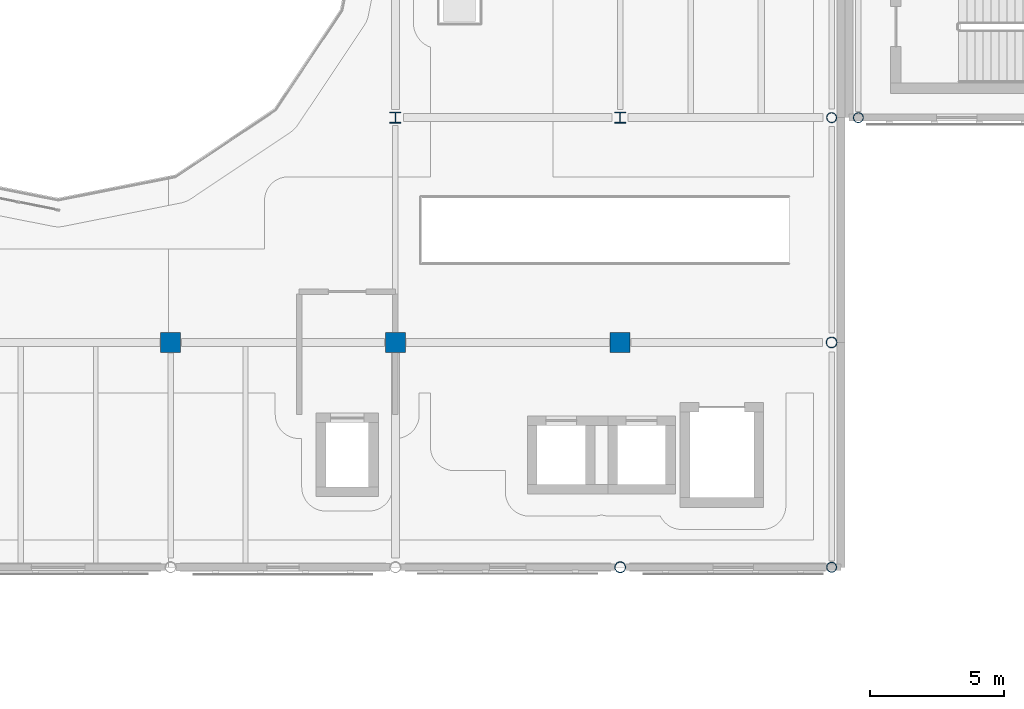
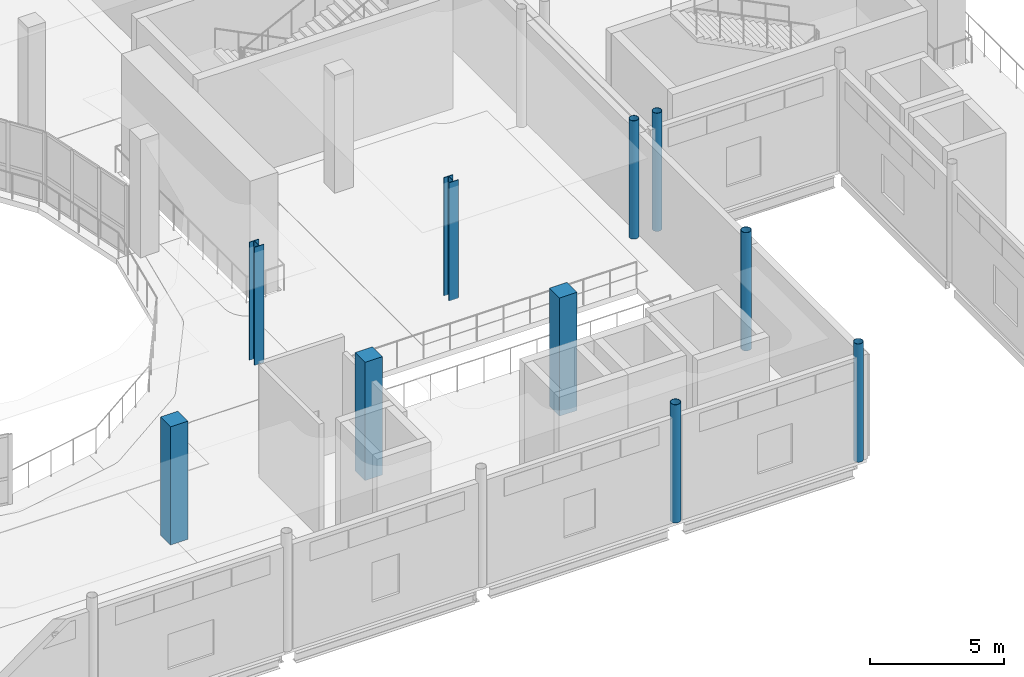
# One storey, part 2 of 110: 10 columns.
"""IFC4 building model written with IfcOpenShell, lengths in metres."""

from ifc_helpers import new_model, si_unit, direction, frame, origin, origin_2d, place, context, subcontext, project, spatial, rectangle, hollow_circle, i_section, extrude, material, material_profile, profile_set, type_object, element, save


model = new_model("IFC4")

# Units and contexts
model_context = context("Model", 3, precision=1e-05, world=origin(), true_north=direction((0.0, 1.0)))
body_context = subcontext(model_context, "Body", "Model", "MODEL_VIEW")
ifc_project = project(units=[si_unit("LENGTHUNIT", "METRE"), si_unit("AREAUNIT", "SQUARE_METRE"), si_unit("VOLUMEUNIT", "CUBIC_METRE"), si_unit("PLANEANGLEUNIT", "RADIAN"), si_unit("MASSUNIT", "GRAM", prefix="KILO"), si_unit("THERMODYNAMICTEMPERATUREUNIT", "KELVIN")], contexts=[model_context])

# Site, building, storey
site_placement = place(None, origin())
site = spatial("IfcSite", under=ifc_project, at=site_placement, CompositionType="ELEMENT")
building_placement = place(site_placement, origin())
building = spatial("IfcBuilding", under=site, at=building_placement, Name="Lustrewick Department Store", CompositionType="ELEMENT")
storey_placement = place(building_placement, frame((0.0, 0.0, 6.0)))
storey = spatial("IfcBuildingStorey", under=building, at=storey_placement, Name="L02", CompositionType="ELEMENT", Elevation=6.0)

# Columns
ifc_material_1 = material(Name="Structural steel Q355C", Category="steel")
ifc_material_profile_1 = material_profile(ifc_material_1, i_section(OverallWidth=0.405029296875, OverallDepth=0.4140625, WebThickness=0.01806640625, FlangeThickness=0.028076171875, FilletRadius=0.02197265625, at=origin_2d()), Name="HW 414x405x18x28")
ifc_profile_set_1 = profile_set([ifc_material_profile_1], Name="Structural steel Q355C")
column_type_1 = type_object("IfcColumnType", Name="C10", PredefinedType="COLUMN", material=ifc_profile_set_1)
for number, where, z_axis, x_axis, name in (
    (1, (42.0, 58.800048828125, 0.0), (0.0, 0.0, 1.0), (1.0, 0.0, 0.0), "L02 V1 Column C10"),
    (2, (50.39990234375, 58.800048828125, 0.0), (0.0, 0.0, 1.0), (1.0, 0.0, 0.0), "L02 V1 Column C10"),
):
    element("IfcColumn", number, at=place(storey_placement, frame(where, z_axis=z_axis, x_axis=x_axis)), inside=storey, type_object=column_type_1, Name=name, PredefinedType="COLUMN", context=body_context, shape_type="SweptSolid", body=[
        extrude(i_section(OverallWidth=0.405029296875, OverallDepth=0.4140625, WebThickness=0.01806640625, FlangeThickness=0.028076171875, FilletRadius=0.02197265625, at=origin_2d()), origin(), (0.0, 0.0, 1.0), 5.39990234375),
    ])
ifc_material_2 = material(Name="Concrete C40", Category="concrete")
ifc_material_profile_2 = material_profile(ifc_material_2, rectangle(XDim=0.75, YDim=0.75, at=origin_2d()), Name="RC 750x750")
ifc_profile_set_2 = profile_set([ifc_material_profile_2], Name="Concrete C40")
column_type_2 = type_object("IfcColumnType", Name="C20", PredefinedType="COLUMN", material=ifc_profile_set_2)
for number, where, z_axis, x_axis, name in (
    (3, (33.60009765625, 50.39990234375, 0.0), (0.0, 0.0, 1.0), (1.0, 0.0, 0.0), "L02 V1 Column C20"),
    (4, (42.0, 50.39990234375, 0.0), (0.0, 0.0, 1.0), (1.0, 0.0, 0.0), "L02 V1 Column C20"),
    (5, (50.39990234375, 50.39990234375, 0.0), (0.0, 0.0, 1.0), (1.0, 0.0, 0.0), "L02 V1 Column C20"),
):
    element("IfcColumn", number, at=place(storey_placement, frame(where, z_axis=z_axis, x_axis=x_axis)), inside=storey, type_object=column_type_2, Name=name, PredefinedType="COLUMN", context=body_context, shape_type="SweptSolid", body=[
        extrude(rectangle(XDim=0.75, YDim=0.75, at=origin_2d()), origin(), (0.0, 0.0, 1.0), 5.39990234375),
    ])
ifc_material_profile_3 = material_profile(ifc_material_1, hollow_circle(Radius=0.202880859375, WallThickness=0.01611328125, at=origin_2d()), Name="CHS 406x16")
ifc_profile_set_3 = profile_set([ifc_material_profile_3], Name="Structural steel Q355C")
column_type_3 = type_object("IfcColumnType", Name="CE03", PredefinedType="COLUMN", material=ifc_profile_set_3)
for number, where, z_axis, x_axis, name in (
    (6, (50.39990234375, 42.0, 0.0), (0.0, 0.0, 1.0), (1.0, 0.0, 0.0), "L02 V1 Column CE03"),
    (7, (58.300048828125, 50.39990234375, 0.0), (0.0, 0.0, 1.0), (1.0, 0.0, 0.0), "L02 V1 Column CE03"),
):
    element("IfcColumn", number, at=place(storey_placement, frame(where, z_axis=z_axis, x_axis=x_axis)), inside=storey, type_object=column_type_3, Name=name, PredefinedType="COLUMN", context=body_context, shape_type="SweptSolid", body=[
        extrude(hollow_circle(Radius=0.202880859375, WallThickness=0.01611328125, at=origin_2d()), origin(), (0.0, 0.0, 1.0), 5.39990234375),
    ])
ifc_material_3 = material(Name="Structural steel Q355B", Category="steel")
ifc_material_profile_4 = material_profile(ifc_material_3, hollow_circle(Radius=0.1884765625, WallThickness=0.013916015625, at=origin_2d()), Name="CHS 377x14")
ifc_profile_set_4 = profile_set([ifc_material_profile_4], Name="Structural steel Q355B")
column_type_4 = type_object("IfcColumnType", Name="CE04", PredefinedType="COLUMN", material=ifc_profile_set_4)
for number, where, z_axis, x_axis, name in (
    (8, (58.300048828125, 42.0, 0.0), (0.0, 0.0, 1.0), (1.0, 0.0, 0.0), "L02 V1 Column CE04"),
    (9, (58.300048828125, 58.800048828125, 0.0), (0.0, 0.0, 1.0), (1.0, 0.0, 0.0), "L02 V1 Column CE04"),
    (10, (59.300048828125, 58.800048828125, 0.0), (0.0, 0.0, 1.0), (1.0, 0.0, 0.0), "L02 V2 Column CE04"),
):
    element("IfcColumn", number, at=place(storey_placement, frame(where, z_axis=z_axis, x_axis=x_axis)), inside=storey, type_object=column_type_4, Name=name, PredefinedType="COLUMN", context=body_context, shape_type="SweptSolid", body=[
        extrude(hollow_circle(Radius=0.1884765625, WallThickness=0.013916015625, at=origin_2d()), origin(), (0.0, 0.0, 1.0), 5.39990234375),
    ])

save(model, "model.ifc")
